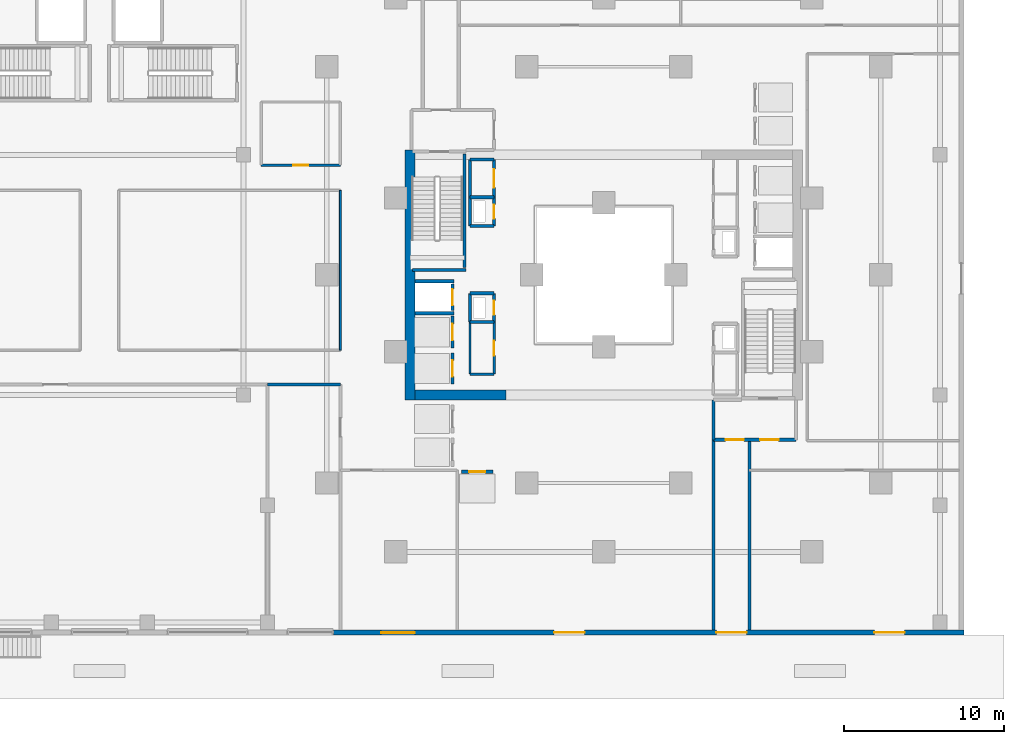
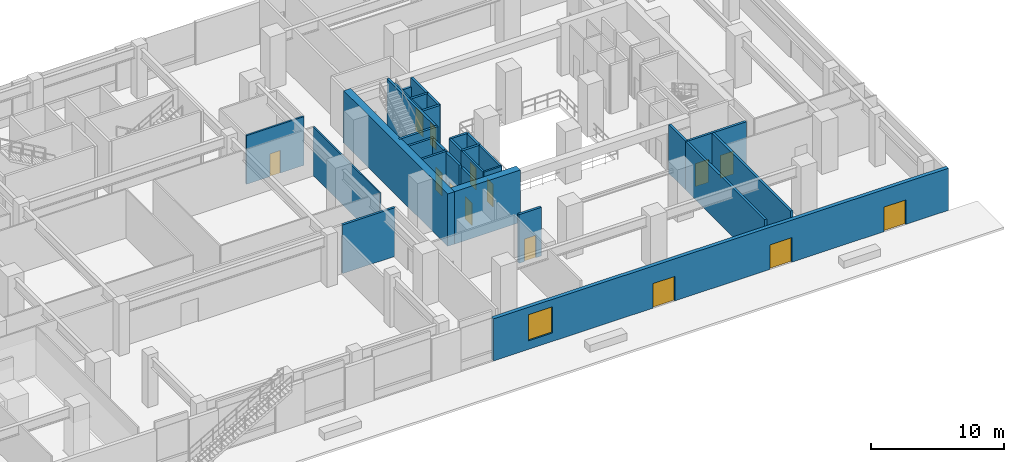
# One storey, part 16 of 24: 32 walls, 14 doors, 1 window, 15 openings.
"""IFC4 building model written with IfcOpenShell, lengths in metres."""

from ifc_helpers import new_model, si_unit, direction, frame, frame_2d, origin, place, context, subcontext, project, spatial, rectangle, extrude, material, layer, layer_set, type_object, element, fill, save


model = new_model("IFC4")

# Units and contexts
model_context = context("Model", 3, precision=1e-05, world=origin(), true_north=direction((0.0, 1.0)))
body_context = subcontext(model_context, "Body", "Model", "MODEL_VIEW")
ifc_project = project(units=[si_unit("LENGTHUNIT", "METRE"), si_unit("AREAUNIT", "SQUARE_METRE"), si_unit("VOLUMEUNIT", "CUBIC_METRE"), si_unit("PLANEANGLEUNIT", "RADIAN"), si_unit("MASSUNIT", "GRAM", prefix="KILO")], contexts=[model_context])

# Site, building, storey
site_placement = place(None, origin())
site = spatial("IfcSite", under=ifc_project, at=site_placement, CompositionType="ELEMENT")
building_placement = place(site_placement, origin())
building = spatial("IfcBuilding", under=site, at=building_placement, Name="Thornwick Lancets Civic Towers", CompositionType="ELEMENT")
storey_placement = place(building_placement, origin())
storey = spatial("IfcBuildingStorey", under=building, at=storey_placement, Name="L00", CompositionType="ELEMENT", Elevation=0.0)

# Wall, opening, door
ifc_material_1 = material(Name="Concrete blockwork C40/50", Category="masonry")
ifc_layer_1 = layer(ifc_material_1, 0.199951171875, Name="Concrete blockwork C40/50")
ifc_layer_set_1 = layer_set([ifc_layer_1], Name="Concrete blockwork C40/50")
wall_type_1 = type_object("IfcWallType", Name="WALL_COMP_200", PredefinedType="STANDARD", material=ifc_layer_set_1)
wall_1_placement = place(storey_placement, frame((79.050048828125, 24.780029296875, 0.0), z_axis=(0.0, 0.0, 1.0), x_axis=(0.0, 1.0, 0.0)))
wall_1 = element("IfcWall", 1, at=wall_1_placement, inside=storey, type_object=wall_type_1, Name="L00 Hoistway Front Wall FL-B2", PredefinedType="STANDARD", context=body_context, shape_type="SweptSolid", body=[
    extrude(rectangle(XDim=1.639892578125, YDim=0.199951171875, at=frame_2d((0.81982421875, 0.0))), origin(), (0.0, 0.0, 1.0), 4.4599609375),
])
opening_1_placement = place(wall_1_placement, frame((0.31005859375, 0.0, 0.0)))
opening_1 = element("IfcOpeningElement", 2, at=opening_1_placement, cuts=wall_1, Name="Opening LD-FL-B2", PredefinedType="OPENING", context=body_context, shape_type="SweptSolid", body=[
    extrude(rectangle(XDim=1.02001953125, YDim=2.06005859375, at=frame_2d((0.510009765625, 1.030029296875))), frame((0.0, 0.10986328125, 0.0), z_axis=(0.0, -1.0, 0.0), x_axis=(1.0, 0.0, 0.0)), (0.0, 0.0, 1.0), 0.219970703125),
])
ifc_material_2 = material(Name="Brushed bronze stainless steel", Category="steel")
door_type_1 = type_object("IfcDoorType", Name="DOOR_LIFT_SLIDE", OperationType="SLIDING_TO_LEFT", PredefinedType="DOOR", material=ifc_material_2)
door_1_placement = place(opening_1_placement, origin())
door_1 = element("IfcDoor", 3, at=door_1_placement, inside=storey, type_object=door_type_1, Name="L00 Sliding Lift Landing Door LD-FL-B2", OperationType="SLIDING_TO_LEFT", OverallHeight=2.06005859375, OverallWidth=1.02001953125, PredefinedType="DOOR", context=body_context, shape_type="SweptSolid", body=[
    extrude(rectangle(XDim=1.02001953125, YDim=2.06005859375, at=frame_2d((0.510009765625, 1.030029296875))), frame((0.0, 0.02490234375, 0.0), z_axis=(0.0, -1.0, 0.0), x_axis=(1.0, 0.0, 0.0)), (0.0, 0.0, 1.0), 0.050048828125),
])
fill(opening_1, door_1)

wall_2_placement = place(storey_placement, frame((79.050048828125, 22.429931640625, 0.0), z_axis=(0.0, 0.0, 1.0), x_axis=(0.0, 1.0, 0.0)))
wall_2 = element("IfcWall", 4, at=wall_2_placement, inside=storey, type_object=wall_type_1, Name="L00 Hoistway Front Wall PL-BH2", PredefinedType="STANDARD", context=body_context, shape_type="SweptSolid", body=[
    extrude(rectangle(XDim=1.989990234375, YDim=0.199951171875, at=frame_2d((0.9951171875, 0.0))), origin(), (0.0, 0.0, 1.0), 4.4599609375),
])
opening_2_placement = place(wall_2_placement, frame((0.485107421875, 0.0, 0.0)))
opening_2 = element("IfcOpeningElement", 5, at=opening_2_placement, cuts=wall_2, Name="Opening LD-PL-BH2", PredefinedType="OPENING", context=body_context, shape_type="SweptSolid", body=[
    extrude(rectangle(XDim=1.02001953125, YDim=2.06005859375, at=frame_2d((0.510009765625, 1.030029296875))), frame((0.0, 0.10986328125, 0.0), z_axis=(0.0, -1.0, 0.0), x_axis=(1.0, 0.0, 0.0)), (0.0, 0.0, 1.0), 0.219970703125),
])
door_2_placement = place(opening_2_placement, origin())
door_2 = element("IfcDoor", 6, at=door_2_placement, inside=storey, type_object=door_type_1, Name="L00 Sliding Lift Landing Door LD-PL-BH2", OperationType="SLIDING_TO_LEFT", OverallHeight=2.06005859375, OverallWidth=1.02001953125, PredefinedType="DOOR", context=body_context, shape_type="SweptSolid", body=[
    extrude(rectangle(XDim=1.02001953125, YDim=2.06005859375, at=frame_2d((0.510009765625, 1.030029296875))), frame((0.0, 0.02490234375, 0.0), z_axis=(0.0, -1.0, 0.0), x_axis=(1.0, 0.0, 0.0)), (0.0, 0.0, 1.0), 0.050048828125),
])
fill(opening_2, door_2)

wall_3_placement = place(storey_placement, frame((79.050048828125, 20.179931640625, 0.0), z_axis=(0.0, 0.0, 1.0), x_axis=(0.0, 1.0, 0.0)))
wall_3 = element("IfcWall", 7, at=wall_3_placement, inside=storey, type_object=wall_type_1, Name="L00 Hoistway Front Wall PL-BH3", PredefinedType="STANDARD", context=body_context, shape_type="SweptSolid", body=[
    extrude(rectangle(XDim=1.940185546875, YDim=0.199951171875, at=frame_2d((0.97021484375, 0.0))), origin(), (0.0, 0.0, 1.0), 4.4599609375),
])
opening_3_placement = place(wall_3_placement, frame((0.4599609375, 0.0, 0.0)))
opening_3 = element("IfcOpeningElement", 8, at=opening_3_placement, cuts=wall_3, Name="Opening LD-PL-BH3", PredefinedType="OPENING", context=body_context, shape_type="SweptSolid", body=[
    extrude(rectangle(XDim=1.02001953125, YDim=2.06005859375, at=frame_2d((0.510009765625, 1.030029296875))), frame((0.0, 0.10986328125, 0.0), z_axis=(0.0, -1.0, 0.0), x_axis=(1.0, 0.0, 0.0)), (0.0, 0.0, 1.0), 0.219970703125),
])
door_3_placement = place(opening_3_placement, origin())
door_3 = element("IfcDoor", 9, at=door_3_placement, inside=storey, type_object=door_type_1, Name="L00 Sliding Lift Landing Door LD-PL-BH3", OperationType="SLIDING_TO_LEFT", OverallHeight=2.06005859375, OverallWidth=1.02001953125, PredefinedType="DOOR", context=body_context, shape_type="SweptSolid", body=[
    extrude(rectangle(XDim=1.02001953125, YDim=2.06005859375, at=frame_2d((0.510009765625, 1.030029296875))), frame((0.0, 0.02490234375, 0.0), z_axis=(0.0, -1.0, 0.0), x_axis=(1.0, 0.0, 0.0)), (0.0, 0.0, 1.0), 0.050048828125),
])
fill(opening_3, door_3)

wall_4_placement = place(storey_placement, frame((79.6298828125, 14.699951171875, 0.0), z_axis=(0.0, 0.0, 1.0), x_axis=(1.0, 0.0, 0.0)))
wall_4 = element("IfcWall", 10, at=wall_4_placement, inside=storey, type_object=wall_type_1, Name="L00 Hoistway Front Wall PL-BM3", PredefinedType="STANDARD", context=body_context, shape_type="SweptSolid", body=[
    extrude(rectangle(XDim=1.940185546875, YDim=0.199951171875, at=frame_2d((0.97021484375, 0.0))), origin(), (0.0, 0.0, 1.0), 4.4599609375),
])
opening_4_placement = place(wall_4_placement, frame((0.4599609375, 0.0, 0.0)))
opening_4 = element("IfcOpeningElement", 11, at=opening_4_placement, cuts=wall_4, Name="Opening LD-PL-BM3", PredefinedType="OPENING", context=body_context, shape_type="SweptSolid", body=[
    extrude(rectangle(XDim=1.02001953125, YDim=2.06005859375, at=frame_2d((0.510009765625, 1.030029296875))), frame((0.0, 0.10986328125, 0.0), z_axis=(0.0, -1.0, 0.0), x_axis=(1.0, 0.0, 0.0)), (0.0, 0.0, 1.0), 0.219970703125),
])
door_4_placement = place(opening_4_placement, origin())
door_4 = element("IfcDoor", 12, at=door_4_placement, inside=storey, type_object=door_type_1, Name="L00 Sliding Lift Landing Door LD-PL-BM3", OperationType="SLIDING_TO_LEFT", OverallHeight=2.06005859375, OverallWidth=1.02001953125, PredefinedType="DOOR", context=body_context, shape_type="SweptSolid", body=[
    extrude(rectangle(XDim=1.02001953125, YDim=2.06005859375, at=frame_2d((0.510009765625, 1.030029296875))), frame((0.0, 0.02490234375, 0.0), z_axis=(0.0, -1.0, 0.0), x_axis=(1.0, 0.0, 0.0)), (0.0, 0.0, 1.0), 0.050048828125),
])
fill(opening_4, door_4)

# Walls
for number, where, z_axis, x_axis, name in (
    (13, (76.7119140625, 26.60009765625, 0.0), (0.0, 0.0, 1.0), (1.0, 0.0, 0.0), "L00 Hoistway Shaft Wall FL-B2 N"),
    (14, (76.7119140625, 24.60009765625, 0.0), (0.0, 0.0, 1.0), (1.0, 0.0, 0.0), "L00 Hoistway Shaft Wall FL-B2 S"),
):
    element("IfcWall", number, at=place(storey_placement, frame(where, z_axis=z_axis, x_axis=x_axis)), inside=storey, type_object=wall_type_1, Name=name, PredefinedType="STANDARD", context=body_context, shape_type="SweptSolid", body=[
        extrude(rectangle(XDim=2.43603515625, YDim=0.199951171875, at=frame_2d((1.218017578125, 0.0))), origin(), (0.0, 0.0, 1.0), 4.4599609375),
    ])

# Wall, openings, doors
wall_5_placement = place(storey_placement, frame((95.35009765625, 16.699951171875, 0.0), z_axis=(0.0, 0.0, 1.0), x_axis=(1.0, 0.0, 0.0)))
wall_5 = element("IfcWall", 15, at=wall_5_placement, inside=storey, type_object=wall_type_1, Name="L00 Partition L00-B-FFLOB1 E1", PredefinedType="STANDARD", context=body_context, shape_type="SweptSolid", body=[
    extrude(rectangle(XDim=5.14990234375, YDim=0.199951171875, at=frame_2d((2.574951171875, 0.0))), origin(), (0.0, 0.0, 1.0), 4.4599609375),
])
opening_5_placement = place(wall_5_placement, frame((2.917236328125, 0.0, 0.0)))
opening_5 = element("IfcOpeningElement", 16, at=opening_5_placement, cuts=wall_5, Name="Opening D-L00-0056", PredefinedType="OPENING", context=body_context, shape_type="SweptSolid", body=[
    extrude(rectangle(XDim=1.14990234375, YDim=2.10009765625, at=frame_2d((0.574951171875, 1.050048828125))), frame((0.0, 0.10986328125, 0.0), z_axis=(0.0, -1.0, 0.0), x_axis=(1.0, 0.0, 0.0)), (0.0, 0.0, 1.0), 0.219970703125),
])
opening_6_placement = place(wall_5_placement, frame((0.760009765625, 0.0, 0.0)))
opening_6 = element("IfcOpeningElement", 17, at=opening_6_placement, cuts=wall_5, Name="Opening D-L00-0072", PredefinedType="OPENING", context=body_context, shape_type="SweptSolid", body=[
    extrude(rectangle(XDim=1.14990234375, YDim=2.10009765625, at=frame_2d((0.574951171875, 1.050048828125))), frame((0.0, 0.10986328125, 0.0), z_axis=(0.0, -1.0, 0.0), x_axis=(1.0, 0.0, 0.0)), (0.0, 0.0, 1.0), 0.219970703125),
])
ifc_material_3 = material(Name="Glazed fire-resisting steel", Category="steel")
door_type_2 = type_object("IfcDoorType", Name="DOOR_LOBBY_FD60", OperationType="NOTDEFINED", PredefinedType="DOOR", material=ifc_material_3)
door_5_placement = place(opening_5_placement, origin())
door_5 = element("IfcDoor", 18, at=door_5_placement, inside=storey, type_object=door_type_2, Name="L00 East Firefighting Lobby 1 Door", OperationType="SINGLE_SWING_LEFT", OverallHeight=2.10009765625, OverallWidth=1.14990234375, PredefinedType="DOOR", context=body_context, shape_type="SweptSolid", body=[
    extrude(rectangle(XDim=1.14990234375, YDim=2.10009765625, at=frame_2d((0.574951171875, 1.050048828125))), frame((0.0, 0.02490234375, 0.0), z_axis=(0.0, -1.0, 0.0), x_axis=(1.0, 0.0, 0.0)), (0.0, 0.0, 1.0), 0.050048828125),
])
fill(opening_5, door_5)
door_6_placement = place(opening_6_placement, origin())
door_6 = element("IfcDoor", 19, at=door_6_placement, inside=storey, type_object=door_type_2, Name="L00 East Tower South Protected Exit Passage Door", OperationType="SINGLE_SWING_LEFT", OverallHeight=2.10009765625, OverallWidth=1.14990234375, PredefinedType="DOOR", context=body_context, shape_type="SweptSolid", body=[
    extrude(rectangle(XDim=1.14990234375, YDim=2.10009765625, at=frame_2d((0.574951171875, 1.050048828125))), frame((0.0, 0.02490234375, 0.0), z_axis=(0.0, -1.0, 0.0), x_axis=(1.0, 0.0, 0.0)), (0.0, 0.0, 1.0), 0.050048828125),
])
fill(opening_6, door_6)

# Walls
wall_6_placement = place(storey_placement, frame((95.35009765625, 19.199951171875, 0.0), z_axis=(0.0, 0.0, 1.0), x_axis=(0.0, -1.0, 0.0)))
element("IfcWall", 20, at=wall_6_placement, inside=storey, type_object=wall_type_1, Name="L00 Partition L00-B-FFLOB1 E4", PredefinedType="STANDARD", context=body_context, shape_type="SweptSolid", body=[
    extrude(rectangle(XDim=2.5, YDim=0.199951171875, at=frame_2d((1.25, 0.0))), origin(), (0.0, 0.0, 1.0), 4.4599609375),
])
wall_7_placement = place(storey_placement, frame((80.14990234375, 24.050048828125, 0.0), z_axis=(0.0, 0.0, 1.0), x_axis=(1.0, 0.0, 0.0)))
element("IfcWall", 21, at=wall_7_placement, inside=storey, type_object=wall_type_1, Name="L00 Partition L00-B-DUCT2 E1", PredefinedType="STANDARD", context=body_context, shape_type="SweptSolid", body=[
    extrude(rectangle(XDim=1.5, YDim=0.199951171875, at=frame_2d((0.75, 0.0))), origin(), (0.0, 0.0, 1.0), 4.4599609375),
])

# Wall, opening, door
wall_8_placement = place(storey_placement, frame((81.64990234375, 24.050048828125, 0.0), z_axis=(0.0, 0.0, 1.0), x_axis=(0.0, 1.0, 0.0)))
wall_8 = element("IfcWall", 22, at=wall_8_placement, inside=storey, type_object=wall_type_1, Name="L00 Partition L00-B-DUCT2 E2", PredefinedType="STANDARD", context=body_context, shape_type="SweptSolid", body=[
    extrude(rectangle(XDim=1.800048828125, YDim=0.199951171875, at=frame_2d((0.89990234375, 0.0))), origin(), (0.0, 0.0, 1.0), 4.4599609375),
])
opening_7_placement = place(wall_8_placement, frame((0.4599609375, 0.0, 0.0)))
opening_7 = element("IfcOpeningElement", 23, at=opening_7_placement, cuts=wall_8, Name="Opening D-L00-0060", PredefinedType="OPENING", context=body_context, shape_type="SweptSolid", body=[
    extrude(rectangle(XDim=0.8798828125, YDim=2.0400390625, at=frame_2d((0.43994140625, 1.02001953125))), frame((0.0, 0.10986328125, 0.0), z_axis=(0.0, -1.0, 0.0), x_axis=(1.0, 0.0, 0.0)), (0.0, 0.0, 1.0), 0.219970703125),
])
ifc_material_4 = material(Name="Steel riser access doorset", Category="steel")
door_type_3 = type_object("IfcDoorType", Name="DOOR_RISER_850", OperationType="NOTDEFINED", PredefinedType="DOOR", material=ifc_material_4)
door_7_placement = place(opening_7_placement, origin())
door_7 = element("IfcDoor", 24, at=door_7_placement, inside=storey, type_object=door_type_3, Name="L00 West Service Duct 2 Door", OperationType="SINGLE_SWING_LEFT", OverallHeight=2.0400390625, OverallWidth=0.8798828125, PredefinedType="DOOR", context=body_context, shape_type="SweptSolid", body=[
    extrude(rectangle(XDim=0.8798828125, YDim=2.0400390625, at=frame_2d((0.43994140625, 1.02001953125))), frame((0.0, 0.02490234375, 0.0), z_axis=(0.0, -1.0, 0.0), x_axis=(1.0, 0.0, 0.0)), (0.0, 0.0, 1.0), 0.050048828125),
])
fill(opening_7, door_7)

# Walls
wall_9_placement = place(storey_placement, frame((81.64990234375, 25.85009765625, 0.0), z_axis=(0.0, 0.0, 1.0), x_axis=(-1.0, 0.0, 0.0)))
element("IfcWall", 25, at=wall_9_placement, inside=storey, type_object=wall_type_1, Name="L00 Partition L00-B-DUCT2 E3", PredefinedType="STANDARD", context=body_context, shape_type="SweptSolid", body=[
    extrude(rectangle(XDim=1.5, YDim=0.199951171875, at=frame_2d((0.75, 0.0))), origin(), (0.0, 0.0, 1.0), 4.4599609375),
])
wall_10_placement = place(storey_placement, frame((80.14990234375, 25.85009765625, 0.0), z_axis=(0.0, 0.0, 1.0), x_axis=(0.0, -1.0, 0.0)))
element("IfcWall", 26, at=wall_10_placement, inside=storey, type_object=wall_type_1, Name="L00 Partition L00-B-DUCT2 E4", PredefinedType="STANDARD", context=body_context, shape_type="SweptSolid", body=[
    extrude(rectangle(XDim=1.800048828125, YDim=0.199951171875, at=frame_2d((0.89990234375, 0.0))), origin(), (0.0, 0.0, 1.0), 4.4599609375),
])
wall_11_placement = place(storey_placement, frame((80.14990234375, 30.050048828125, 0.0), z_axis=(0.0, 0.0, 1.0), x_axis=(1.0, 0.0, 0.0)))
element("IfcWall", 27, at=wall_11_placement, inside=storey, type_object=wall_type_1, Name="L00 Partition L00-B-RISER2 E1", PredefinedType="STANDARD", context=body_context, shape_type="SweptSolid", body=[
    extrude(rectangle(XDim=1.5, YDim=0.199951171875, at=frame_2d((0.75, 0.0))), origin(), (0.0, 0.0, 1.0), 4.4599609375),
])

# Wall, opening, door
wall_12_placement = place(storey_placement, frame((81.64990234375, 30.050048828125, 0.0), z_axis=(0.0, 0.0, 1.0), x_axis=(0.0, 1.0, 0.0)))
wall_12 = element("IfcWall", 28, at=wall_12_placement, inside=storey, type_object=wall_type_1, Name="L00 Partition L00-B-RISER2 E2", PredefinedType="STANDARD", context=body_context, shape_type="SweptSolid", body=[
    extrude(rectangle(XDim=1.800048828125, YDim=0.199951171875, at=frame_2d((0.89990234375, 0.0))), origin(), (0.0, 0.0, 1.0), 4.4599609375),
])
opening_8_placement = place(wall_12_placement, frame((0.4599609375, 0.0, 0.0)))
opening_8 = element("IfcOpeningElement", 29, at=opening_8_placement, cuts=wall_12, Name="Opening D-L00-0061", PredefinedType="OPENING", context=body_context, shape_type="SweptSolid", body=[
    extrude(rectangle(XDim=0.8798828125, YDim=2.0400390625, at=frame_2d((0.43994140625, 1.02001953125))), frame((0.0, 0.10986328125, 0.0), z_axis=(0.0, -1.0, 0.0), x_axis=(1.0, 0.0, 0.0)), (0.0, 0.0, 1.0), 0.219970703125),
])
door_8_placement = place(opening_8_placement, origin())
door_8 = element("IfcDoor", 30, at=door_8_placement, inside=storey, type_object=door_type_3, Name="L00 West Service Riser 2 Door", OperationType="SINGLE_SWING_RIGHT", OverallHeight=2.0400390625, OverallWidth=0.8798828125, PredefinedType="DOOR", context=body_context, shape_type="SweptSolid", body=[
    extrude(rectangle(XDim=0.8798828125, YDim=2.0400390625, at=frame_2d((0.43994140625, 1.02001953125))), frame((0.0, 0.02490234375, 0.0), z_axis=(0.0, -1.0, 0.0), x_axis=(1.0, 0.0, 0.0)), (0.0, 0.0, 1.0), 0.050048828125),
])
fill(opening_8, door_8)

# Walls
wall_13_placement = place(storey_placement, frame((81.64990234375, 31.85009765625, 0.0), z_axis=(0.0, 0.0, 1.0), x_axis=(-1.0, 0.0, 0.0)))
element("IfcWall", 31, at=wall_13_placement, inside=storey, type_object=wall_type_1, Name="L00 Partition L00-B-RISER2 E3", PredefinedType="STANDARD", context=body_context, shape_type="SweptSolid", body=[
    extrude(rectangle(XDim=1.5, YDim=0.199951171875, at=frame_2d((0.75, 0.0))), origin(), (0.0, 0.0, 1.0), 4.4599609375),
])
wall_14_placement = place(storey_placement, frame((80.14990234375, 31.85009765625, 0.0), z_axis=(0.0, 0.0, 1.0), x_axis=(0.0, -1.0, 0.0)))
element("IfcWall", 32, at=wall_14_placement, inside=storey, type_object=wall_type_1, Name="L00 Partition L00-B-RISER2 E4", PredefinedType="STANDARD", context=body_context, shape_type="SweptSolid", body=[
    extrude(rectangle(XDim=1.800048828125, YDim=0.199951171875, at=frame_2d((0.89990234375, 0.0))), origin(), (0.0, 0.0, 1.0), 4.4599609375),
])
wall_15_placement = place(storey_placement, frame((80.14990234375, 31.85009765625, 0.0), z_axis=(0.0, 0.0, 1.0), x_axis=(0.0, 1.0, 0.0)))
element("IfcWall", 33, at=wall_15_placement, inside=storey, type_object=wall_type_1, Name="L00 Partition L00-B-STR E1", PredefinedType="STANDARD", context=body_context, shape_type="SweptSolid", body=[
    extrude(rectangle(XDim=2.349853515625, YDim=0.199951171875, at=frame_2d((1.1748046875, 0.0))), origin(), (0.0, 0.0, 1.0), 4.4599609375),
])
wall_16_placement = place(storey_placement, frame((80.14990234375, 34.199951171875, 0.0), z_axis=(0.0, 0.0, 1.0), x_axis=(1.0, 0.0, 0.0)))
element("IfcWall", 34, at=wall_16_placement, inside=storey, type_object=wall_type_1, Name="L00 Partition L00-B-STR E2", PredefinedType="STANDARD", context=body_context, shape_type="SweptSolid", body=[
    extrude(rectangle(XDim=1.5, YDim=0.199951171875, at=frame_2d((0.75, 0.0))), origin(), (0.0, 0.0, 1.0), 3.6650390625),
])

# Wall, opening, door
wall_17_placement = place(storey_placement, frame((81.64990234375, 34.199951171875, 0.0), z_axis=(0.0, 0.0, 1.0), x_axis=(0.0, -1.0, 0.0)))
wall_17 = element("IfcWall", 35, at=wall_17_placement, inside=storey, type_object=wall_type_1, Name="L00 Partition L00-B-STR E3", PredefinedType="STANDARD", context=body_context, shape_type="SweptSolid", body=[
    extrude(rectangle(XDim=2.349853515625, YDim=0.199951171875, at=frame_2d((1.1748046875, 0.0))), origin(), (0.0, 0.0, 1.0), 4.4599609375),
])
opening_9_placement = place(wall_17_placement, frame((0.60009765625, 0.0, 0.0)))
opening_9 = element("IfcOpeningElement", 36, at=opening_9_placement, cuts=wall_17, Name="Opening D-L00-0066", PredefinedType="OPENING", context=body_context, shape_type="SweptSolid", body=[
    extrude(rectangle(XDim=1.14990234375, YDim=2.10009765625, at=frame_2d((0.574951171875, 1.050048828125))), frame((0.0, 0.10986328125, 0.0), z_axis=(0.0, -1.0, 0.0), x_axis=(1.0, 0.0, 0.0)), (0.0, 0.0, 1.0), 0.219970703125),
])
door_9_placement = place(opening_9_placement, origin())
door_9 = element("IfcDoor", 37, at=door_9_placement, inside=storey, type_object=door_type_2, Name="L00 Tower B Core Equipment Store Door", OperationType="SINGLE_SWING_LEFT", OverallHeight=2.10009765625, OverallWidth=1.14990234375, PredefinedType="DOOR", context=body_context, shape_type="SweptSolid", body=[
    extrude(rectangle(XDim=1.14990234375, YDim=2.10009765625, at=frame_2d((0.574951171875, 1.050048828125))), frame((0.0, 0.02490234375, 0.0), z_axis=(0.0, -1.0, 0.0), x_axis=(1.0, 0.0, 0.0)), (0.0, 0.0, 1.0), 0.050048828125),
])
fill(opening_9, door_9)

# Walls
for number, where, z_axis, x_axis, name in (
    (38, (95.35009765625, 4.820068359375, 0.0), (0.0, 0.0, 1.0), (0.0, 1.0, 0.0), "L00 Partition L00-EXIT-PASS-B1 E2"),
    (39, (97.60009765625, 16.699951171875, 0.0), (0.0, 0.0, 1.0), (0.0, -1.0, 0.0), "L00 Partition L00-EXIT-PASS-B1 E4"),
):
    element("IfcWall", number, at=place(storey_placement, frame(where, z_axis=z_axis, x_axis=x_axis)), inside=storey, type_object=wall_type_1, Name=name, PredefinedType="STANDARD", context=body_context, shape_type="SweptSolid", body=[
        extrude(rectangle(XDim=11.8798828125, YDim=0.199951171875, at=frame_2d((5.93994140625, 0.0))), origin(), (0.0, 0.0, 1.0), 4.4599609375),
    ])
wall_18_placement = place(storey_placement, frame((67.5, 20.14990234375, 0.0), z_axis=(0.0, 0.0, 1.0), x_axis=(1.0, 0.0, 0.0)))
element("IfcWall", 40, at=wall_18_placement, inside=storey, type_object=wall_type_1, Name="L00 Partition L00-FCC E3", PredefinedType="STANDARD", context=body_context, shape_type="SweptSolid", body=[
    extrude(rectangle(XDim=4.550048828125, YDim=0.199951171875, at=frame_2d((2.27490234375, 0.0))), origin(), (0.0, 0.0, 1.0), 4.4599609375),
])
ifc_material_5 = material(Name="Concrete C60/75", Category="concrete")
ifc_layer_2 = layer(ifc_material_5, 0.60009765625, Name="Concrete C60/75")
ifc_layer_set_2 = layer_set([ifc_layer_2], Name="Concrete C60/75")
wall_type_2 = type_object("IfcWallType", Name="WALL_CORE_600", PredefinedType="SHEAR", material=ifc_layer_set_2)
wall_19_placement = place(storey_placement, frame((76.39990234375, 19.199951171875, 0.0), z_axis=(0.0, 0.0, 1.0), x_axis=(0.0, 1.0, 0.0)))
element("IfcWall", 41, at=wall_19_placement, inside=storey, type_object=wall_type_2, Name="L00 Split Core B2 Shear Wall W", PredefinedType="SHEAR", context=body_context, shape_type="SweptSolid", body=[
    extrude(rectangle(XDim=15.60009765625, YDim=0.60009765625, at=frame_2d((7.800048828125, 0.0))), origin(), (0.0, 0.0, 1.0), 4.800048828125),
])
wall_20_placement = place(storey_placement, frame((76.699951171875, 19.5, 0.0), z_axis=(0.0, 0.0, 1.0), x_axis=(1.0, 0.0, 0.0)))
element("IfcWall", 42, at=wall_20_placement, inside=storey, type_object=wall_type_2, Name="L00 Split Core B2 Shear Wall S", PredefinedType="SHEAR", context=body_context, shape_type="SweptSolid", body=[
    extrude(rectangle(XDim=5.699951171875, YDim=0.60009765625, at=frame_2d((2.85009765625, 0.0))), origin(), (0.0, 0.0, 1.0), 4.800048828125),
])

# Wall, openings, doors, window
ifc_material_6 = material(Name="Insulated buff terracotta rainscreen on concrete C40/50", Category="masonry")
ifc_layer_3 = layer(ifc_material_6, 0.320068359375, Name="Insulated buff terracotta rainscreen on concrete C40/50")
ifc_layer_set_3 = layer_set([ifc_layer_3], Name="Insulated buff terracotta rainscreen on concrete C40/50")
wall_type_3 = type_object("IfcWallType", Name="WALL_EXT_TERRA_320", PredefinedType="STANDARD", material=ifc_layer_set_3)
wall_21_placement = place(storey_placement, frame((71.60009765625, 4.659912109375, 0.0), z_axis=(0.0, 0.0, 1.0), x_axis=(1.0, 0.0, 0.0)))
wall_21 = element("IfcWall", 43, at=wall_21_placement, inside=storey, type_object=wall_type_3, Name="L00 Podium South-East Facade Wall", PredefinedType="STANDARD", context=body_context, shape_type="SweptSolid", body=[
    extrude(rectangle(XDim=39.39990234375, YDim=0.320068359375, at=frame_2d((19.699951171875, 0.0))), origin(), (0.0, 0.0, 1.0), 3.860107421875),
])
opening_10_placement = place(wall_21_placement, frame((25.829833984375, 0.0, 0.0), z_axis=(0.0, 0.0, 1.0), x_axis=(-1.0, 0.0, 0.0)))
opening_10 = element("IfcOpeningElement", 44, at=opening_10_placement, cuts=wall_21, Name="Opening D-EX-04", PredefinedType="OPENING", context=body_context, shape_type="SweptSolid", body=[
    extrude(rectangle(XDim=1.89990234375, YDim=2.25, at=frame_2d((0.949951171875, 1.125))), frame((0.0, 0.169921875, 0.0), z_axis=(0.0, -1.0, 0.0), x_axis=(1.0, 0.0, 0.0)), (0.0, 0.0, 1.0), 0.340087890625),
])
opening_11_placement = place(wall_21_placement, frame((15.699951171875, 0.0, 0.0), z_axis=(0.0, 0.0, 1.0), x_axis=(-1.0, 0.0, 0.0)))
opening_11 = element("IfcOpeningElement", 45, at=opening_11_placement, cuts=wall_21, Name="Opening D-EX-05", PredefinedType="OPENING", context=body_context, shape_type="SweptSolid", body=[
    extrude(rectangle(XDim=1.89990234375, YDim=2.25, at=frame_2d((0.949951171875, 1.125))), frame((0.0, 0.169921875, 0.0), z_axis=(0.0, -1.0, 0.0), x_axis=(1.0, 0.0, 0.0)), (0.0, 0.0, 1.0), 0.340087890625),
])
opening_12_placement = place(wall_21_placement, frame((35.699951171875, 0.0, 0.0), z_axis=(0.0, 0.0, 1.0), x_axis=(-1.0, 0.0, 0.0)))
opening_12 = element("IfcOpeningElement", 46, at=opening_12_placement, cuts=wall_21, Name="Opening D-EX-06", PredefinedType="OPENING", context=body_context, shape_type="SweptSolid", body=[
    extrude(rectangle(XDim=1.89990234375, YDim=2.25, at=frame_2d((0.949951171875, 1.125))), frame((0.0, 0.169921875, 0.0), z_axis=(0.0, -1.0, 0.0), x_axis=(1.0, 0.0, 0.0)), (0.0, 0.0, 1.0), 0.340087890625),
])
opening_13_placement = place(wall_21_placement, frame((3.0, 0.0, 0.780029296875)))
opening_13 = element("IfcOpeningElement", 47, at=opening_13_placement, cuts=wall_21, Name="Opening WP-21", PredefinedType="OPENING", context=body_context, shape_type="SweptSolid", body=[
    extrude(rectangle(XDim=2.10009765625, YDim=2.39990234375, at=frame_2d((1.050048828125, 1.199951171875))), frame((0.0, 0.169921875, 0.0), z_axis=(0.0, -1.0, 0.0), x_axis=(1.0, 0.0, 0.0)), (0.0, 0.0, 1.0), 0.340087890625),
])
ifc_material_7 = material(Name="Glazed bronze civic entrance double doorset")
door_type_4 = type_object("IfcDoorType", Name="DOOR_EXIT_1900", OperationType="DOUBLE_DOOR_SINGLE_SWING", PredefinedType="DOOR", material=ifc_material_7)
door_10_placement = place(opening_10_placement, origin())
door_10 = element("IfcDoor", 48, at=door_10_placement, inside=storey, type_object=door_type_4, Name="L00 Final Pedestrian Exit Door D-EX-04", OperationType="DOUBLE_DOOR_SINGLE_SWING", OverallHeight=2.25, OverallWidth=1.89990234375, PredefinedType="DOOR", context=body_context, shape_type="SweptSolid", body=[
    extrude(rectangle(XDim=1.89990234375, YDim=2.25, at=frame_2d((0.949951171875, 1.125))), frame((0.0, 0.02490234375, 0.0), z_axis=(0.0, -1.0, 0.0), x_axis=(1.0, 0.0, 0.0)), (0.0, 0.0, 1.0), 0.050048828125),
])
fill(opening_10, door_10)
door_11_placement = place(opening_11_placement, origin())
door_11 = element("IfcDoor", 49, at=door_11_placement, inside=storey, type_object=door_type_4, Name="L00 Final Pedestrian Exit Door D-EX-05", OperationType="DOUBLE_DOOR_SINGLE_SWING", OverallHeight=2.25, OverallWidth=1.89990234375, PredefinedType="DOOR", context=body_context, shape_type="SweptSolid", body=[
    extrude(rectangle(XDim=1.89990234375, YDim=2.25, at=frame_2d((0.949951171875, 1.125))), frame((0.0, 0.02490234375, 0.0), z_axis=(0.0, -1.0, 0.0), x_axis=(1.0, 0.0, 0.0)), (0.0, 0.0, 1.0), 0.050048828125),
])
fill(opening_11, door_11)
door_12_placement = place(opening_12_placement, origin())
door_12 = element("IfcDoor", 50, at=door_12_placement, inside=storey, type_object=door_type_4, Name="L00 Final Pedestrian Exit Door D-EX-06", OperationType="DOUBLE_DOOR_SINGLE_SWING", OverallHeight=2.25, OverallWidth=1.89990234375, PredefinedType="DOOR", context=body_context, shape_type="SweptSolid", body=[
    extrude(rectangle(XDim=1.89990234375, YDim=2.25, at=frame_2d((0.949951171875, 1.125))), frame((0.0, 0.02490234375, 0.0), z_axis=(0.0, -1.0, 0.0), x_axis=(1.0, 0.0, 0.0)), (0.0, 0.0, 1.0), 0.050048828125),
])
fill(opening_12, door_12)
ifc_material_8 = material(Name="Grand civic pointed lancet glass window", Category="glass")
window_type = type_object("IfcWindowType", Name="WIN_PODIUM_2100", PartitioningType="SINGLE_PANEL", PredefinedType="WINDOW", material=ifc_material_8)
window_placement = place(opening_13_placement, origin())
window = element("IfcWindow", 51, at=window_placement, inside=storey, type_object=window_type, Name="L00 Podium Lancet Window 1", OverallHeight=2.39990234375, OverallWidth=2.10009765625, PartitioningType="SINGLE_PANEL", PredefinedType="WINDOW", context=body_context, shape_type="SweptSolid", body=[
    extrude(rectangle(XDim=2.10009765625, YDim=2.39990234375, at=frame_2d((1.050048828125, 1.199951171875))), frame((0.0, 0.030029296875, 0.0), z_axis=(0.0, -1.0, 0.0), x_axis=(1.0, 0.0, 0.0)), (0.0, 0.0, 1.0), 0.06005859375),
])
fill(opening_13, window)

# Walls
ifc_material_9 = material(Name="Acoustic gypsum board partition")
ifc_layer_4 = layer(ifc_material_9, 0.1201171875, Name="Acoustic gypsum board partition")
ifc_layer_set_4 = layer_set([ifc_layer_4], Name="Acoustic gypsum board partition")
wall_type_4 = type_object("IfcWallType", Name="WALL_PART_120", PredefinedType="PARTITIONING", material=ifc_layer_set_4)
wall_22_placement = place(storey_placement, frame((72.050048828125, 32.280029296875, 0.0), z_axis=(0.0, 0.0, 1.0), x_axis=(0.0, -1.0, 0.0)))
element("IfcWall", 52, at=wall_22_placement, inside=storey, type_object=wall_type_4, Name="L00 Partition L00-CENTE E4", PredefinedType="PARTITIONING", context=body_context, shape_type="SweptSolid", body=[
    extrude(rectangle(XDim=9.97998046875, YDim=0.1201171875, at=frame_2d((4.989990234375, 0.0))), origin(), (0.0, 0.0, 1.0), 4.4599609375),
])
ifc_material_10 = material(Name="Twin-stud acoustic gypsum board")
ifc_layer_5 = layer(ifc_material_10, 0.14990234375, Name="Twin-stud acoustic gypsum board")
ifc_layer_set_5 = layer_set([ifc_layer_5], Name="Twin-stud acoustic gypsum board")
wall_type_5 = type_object("IfcWallType", Name="WALL_PART_150", PredefinedType="PARTITIONING", material=ifc_layer_set_5)
wall_23_placement = place(storey_placement, frame((81.64990234375, 20.800048828125, 0.0), z_axis=(0.0, 0.0, 1.0), x_axis=(-1.0, 0.0, 0.0)))
element("IfcWall", 53, at=wall_23_placement, inside=storey, type_object=wall_type_5, Name="L00 Partition L00-B-FWC E1", PredefinedType="PARTITIONING", context=body_context, shape_type="SweptSolid", body=[
    extrude(rectangle(XDim=1.5, YDim=0.14990234375, at=frame_2d((0.75, 0.0))), origin(), (0.0, 0.0, 1.0), 4.4599609375),
])
wall_24_placement = place(storey_placement, frame((80.14990234375, 20.800048828125, 0.0), z_axis=(0.0, 0.0, 1.0), x_axis=(0.0, 1.0, 0.0)))
element("IfcWall", 54, at=wall_24_placement, inside=storey, type_object=wall_type_5, Name="L00 Partition L00-B-FWC E2", PredefinedType="PARTITIONING", context=body_context, shape_type="SweptSolid", body=[
    extrude(rectangle(XDim=3.25, YDim=0.14990234375, at=frame_2d((1.625, 0.0))), origin(), (0.0, 0.0, 1.0), 4.4599609375),
])

# Wall, opening, door
wall_25_placement = place(storey_placement, frame((81.64990234375, 24.050048828125, 0.0), z_axis=(0.0, 0.0, 1.0), x_axis=(0.0, -1.0, 0.0)))
wall_25 = element("IfcWall", 55, at=wall_25_placement, inside=storey, type_object=wall_type_5, Name="L00 Partition L00-B-FWC E4", PredefinedType="PARTITIONING", context=body_context, shape_type="SweptSolid", body=[
    extrude(rectangle(XDim=3.25, YDim=0.14990234375, at=frame_2d((1.625, 0.0))), origin(), (0.0, 0.0, 1.0), 4.4599609375),
])
opening_14_placement = place(wall_25_placement, frame((1.1650390625, 0.0, 0.0)))
opening_14 = element("IfcOpeningElement", 56, at=opening_14_placement, cuts=wall_25, Name="Opening D-L00-0065", PredefinedType="OPENING", context=body_context, shape_type="SweptSolid", body=[
    extrude(rectangle(XDim=0.919921875, YDim=2.080078125, at=frame_2d((0.4599609375, 1.0400390625))), frame((0.0, 0.0849609375, 0.0), z_axis=(0.0, -1.0, 0.0), x_axis=(1.0, 0.0, 0.0)), (0.0, 0.0, 1.0), 0.169921875),
])
ifc_material_11 = material(Name="Moisture-resistant oak doorset")
door_type_5 = type_object("IfcDoorType", Name="DOOR_WC_900", OperationType="NOTDEFINED", PredefinedType="DOOR", material=ifc_material_11)
door_13_placement = place(opening_14_placement, origin())
door_13 = element("IfcDoor", 57, at=door_13_placement, inside=storey, type_object=door_type_5, Name="L00 Tower B Female WC Door", OperationType="SINGLE_SWING_RIGHT", OverallHeight=2.080078125, OverallWidth=0.919921875, PredefinedType="DOOR", context=body_context, shape_type="SweptSolid", body=[
    extrude(rectangle(XDim=0.919921875, YDim=2.080078125, at=frame_2d((0.4599609375, 1.0400390625))), frame((0.0, 0.02490234375, 0.0), z_axis=(0.0, -1.0, 0.0), x_axis=(1.0, 0.0, 0.0)), (0.0, 0.0, 1.0), 0.050048828125),
])
fill(opening_14, door_13)

wall_26_placement = place(storey_placement, frame((67.10009765625, 33.85009765625, 0.0), z_axis=(0.0, 0.0, 1.0), x_axis=(1.0, 0.0, 0.0)))
wall_26 = element("IfcWall", 58, at=wall_26_placement, inside=storey, type_object=wall_type_5, Name="L00 Partition L00-POD-FWC E1", PredefinedType="PARTITIONING", context=body_context, shape_type="SweptSolid", body=[
    extrude(rectangle(XDim=4.949951171875, YDim=0.14990234375, at=frame_2d((2.47509765625, 0.0))), origin(), (0.0, 0.0, 1.0), 4.4599609375),
])
opening_15_placement = place(wall_26_placement, frame((2.014892578125, 0.0, 0.0)))
opening_15 = element("IfcOpeningElement", 59, at=opening_15_placement, cuts=wall_26, Name="Opening D-L00-0068", PredefinedType="OPENING", context=body_context, shape_type="SweptSolid", body=[
    extrude(rectangle(XDim=0.919921875, YDim=2.080078125, at=frame_2d((0.4599609375, 1.0400390625))), frame((0.0, 0.0849609375, 0.0), z_axis=(0.0, -1.0, 0.0), x_axis=(1.0, 0.0, 0.0)), (0.0, 0.0, 1.0), 0.169921875),
])
door_14_placement = place(opening_15_placement, origin())
door_14 = element("IfcDoor", 60, at=door_14_placement, inside=storey, type_object=door_type_5, Name="L00 Podium Public Female WC Door", OperationType="SINGLE_SWING_LEFT", OverallHeight=2.080078125, OverallWidth=0.919921875, PredefinedType="DOOR", context=body_context, shape_type="SweptSolid", body=[
    extrude(rectangle(XDim=0.919921875, YDim=2.080078125, at=frame_2d((0.4599609375, 1.0400390625))), frame((0.0, 0.02490234375, 0.0), z_axis=(0.0, -1.0, 0.0), x_axis=(1.0, 0.0, 0.0)), (0.0, 0.0, 1.0), 0.050048828125),
])
fill(opening_15, door_14)

# Walls
ifc_material_12 = material(Name="Concrete C40/50", Category="concrete")
ifc_layer_6 = layer(ifc_material_12, 0.199951171875, Name="Concrete C40/50")
ifc_layer_set_6 = layer_set([ifc_layer_6], Name="Concrete C40/50")
wall_type_6 = type_object("IfcWallType", Name="WALL_SHAFT_200", PredefinedType="SHEAR", material=ifc_layer_set_6)
wall_27_placement = place(storey_placement, frame((79.89990234375, 27.300048828125, 0.0), z_axis=(0.0, 0.0, 1.0), x_axis=(-1.0, 0.0, 0.0)))
element("IfcWall", 61, at=wall_27_placement, inside=storey, type_object=wall_type_6, Name="L00 ST-B2 Fire Stair Core Wall FAR", PredefinedType="SHEAR", context=body_context, shape_type="SweptSolid", body=[
    extrude(rectangle(XDim=3.349853515625, YDim=0.199951171875, at=frame_2d((1.6748046875, 0.0))), origin(), (0.0, 0.0, 1.0), 4.800048828125),
])
wall_28_placement = place(storey_placement, frame((79.797119140625, 27.449951171875, 0.0), z_axis=(0.0, 0.0, 1.0), x_axis=(0.0, 1.0, 0.0)))
element("IfcWall", 62, at=wall_28_placement, inside=storey, type_object=wall_type_6, Name="L00 ST-B2 Fire Stair Core Wall RIGHT", PredefinedType="SHEAR", context=body_context, shape_type="SweptSolid", body=[
    extrude(rectangle(XDim=7.10009765625, YDim=0.199951171875, at=frame_2d((3.550048828125, 0.0))), origin(), (0.0, 0.0, 1.0), 4.800048828125),
])

save(model, "model.ifc")
